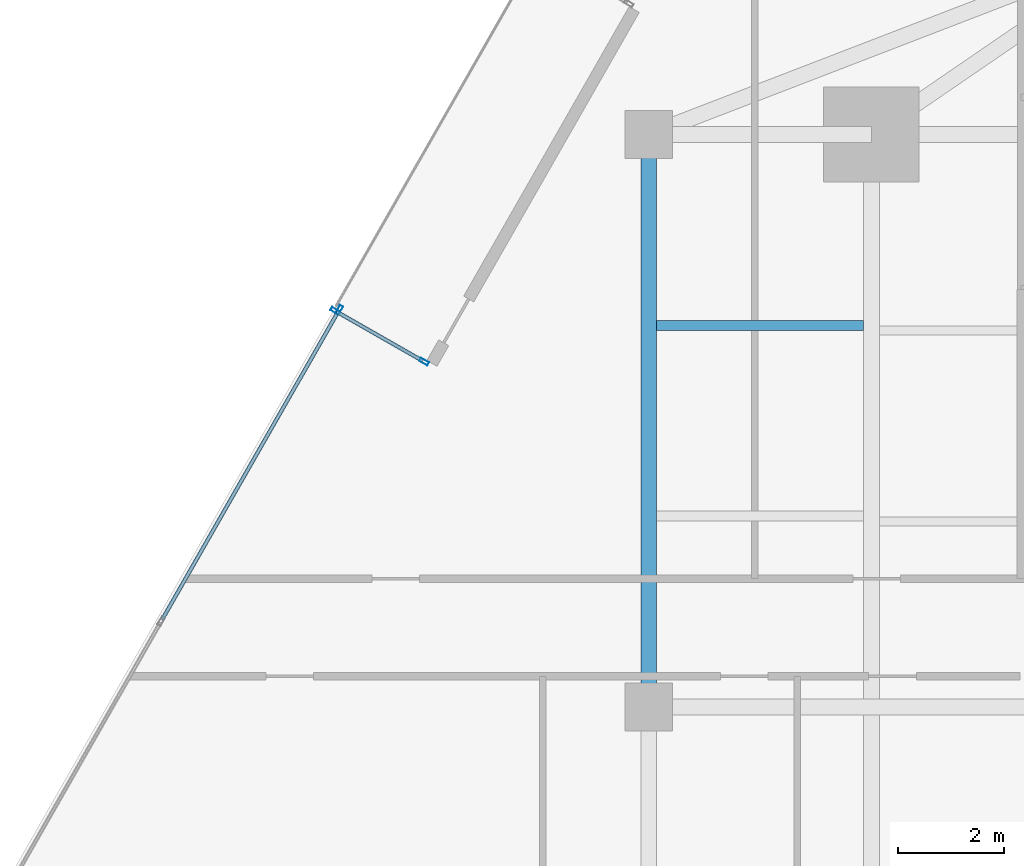
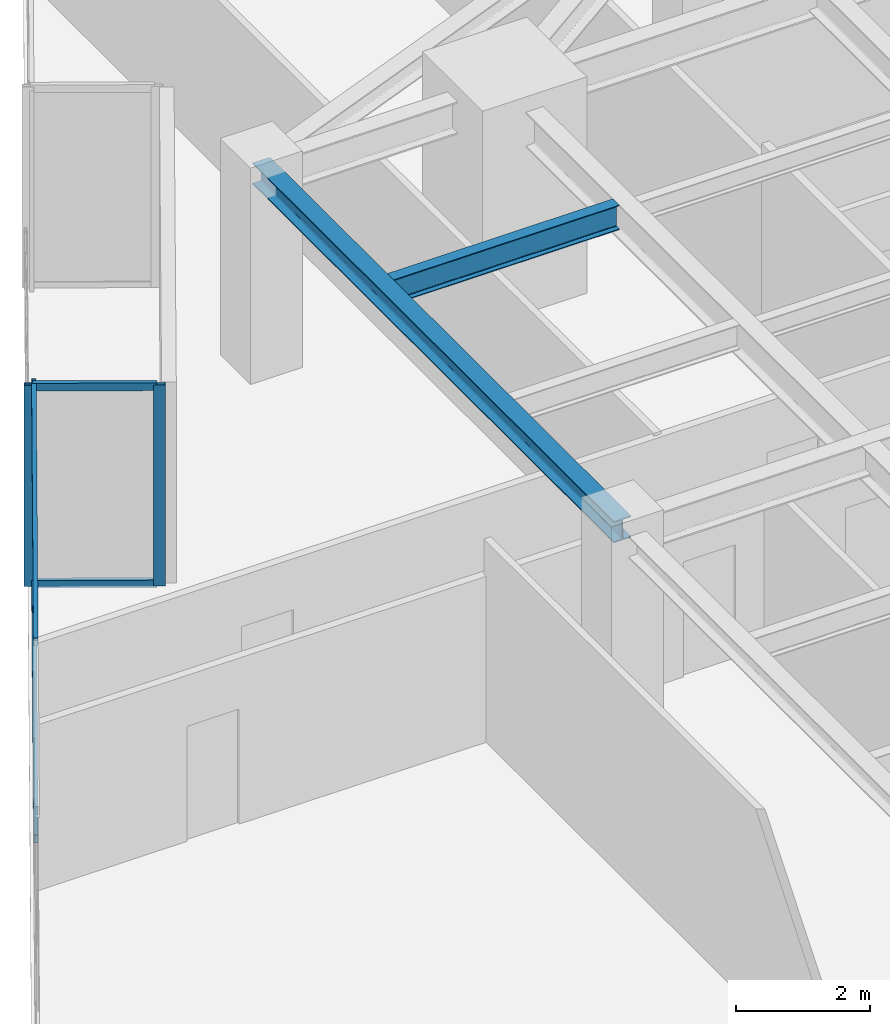
# One storey, part 12 of 24: 7 members, 2 beams, 2 elements without a shape of their own.
"""IFC4 building model written with IfcOpenShell, lengths in metres."""

from ifc_helpers import new_model, si_unit, direction, frame, origin, origin_2d, place, context, subcontext, project, spatial, hollow_rectangle, i_section, extrude, source, transform, mapped, material, material_profile, profile_set, type_object, type_shapes, element, aggregate, save


model = new_model("IFC4")

# Units and contexts
model_context = context("Model", 3, precision=1e-05, world=origin(), true_north=direction((0.0, 1.0)))
body_context = subcontext(model_context, "Body", "Model", "MODEL_VIEW")
ifc_project = project(units=[si_unit("LENGTHUNIT", "METRE"), si_unit("AREAUNIT", "SQUARE_METRE"), si_unit("VOLUMEUNIT", "CUBIC_METRE"), si_unit("PLANEANGLEUNIT", "RADIAN"), si_unit("MASSUNIT", "GRAM", prefix="KILO")], contexts=[model_context])

# Site, building, storey
site_placement = place(None, origin())
site = spatial("IfcSite", under=ifc_project, at=site_placement, CompositionType="ELEMENT")
building_placement = place(site_placement, origin())
building = spatial("IfcBuilding", under=site, at=building_placement, Name="Krantzveldt Concourse Tower", CompositionType="ELEMENT")
storey_placement = place(building_placement, frame((0.0, 0.0, 165.949951171875)))
storey = spatial("IfcBuildingStorey", under=building, at=storey_placement, Name="L40", CompositionType="ELEMENT", Elevation=165.949951171875)

# Beams
ifc_material_1 = material(Name="Steel S355JR", Category="steel")
ifc_material_profile_1 = material_profile(ifc_material_1, i_section(OverallWidth=0.300048828125, OverallDepth=0.389892578125, WebThickness=0.010986328125, FlangeThickness=0.01904296875, FilletRadius=0.027099609375, at=origin_2d()), Name="Steel S355JR", Category="steel")
ifc_profile_set_1 = profile_set([ifc_material_profile_1], Name="Steel S355JR - HEA 400")
beam_type_1 = type_object("IfcBeamType", Name="BM-SP-HEA400", PredefinedType="SPANDREL", material=ifc_profile_set_1)
shared_shape_1 = source(origin(), body_context, "Body", "SweptSolid", [
    extrude(i_section(OverallWidth=0.300048828125, OverallDepth=0.389892578125, WebThickness=0.010986328125, FlangeThickness=0.01904296875, FilletRadius=0.027099609375, at=origin_2d()), origin(), (0.0, 0.0, 1.0), 10.800048828125),
])
type_shapes(beam_type_1, [shared_shape_1])
beam_1_placement = place(storey_placement, frame((21.0, 26.699951171875, 3.47509765625), z_axis=(0.0, 1.0, 0.0), x_axis=(-1.0, 0.0, 0.0)))
element("IfcBeam", 1, at=beam_1_placement, inside=storey, type_object=beam_type_1, Name="L40 Tower Girder SP-R02", PredefinedType="SPANDREL", context=body_context, shape_type="MappedRepresentation", body=[
    mapped(shared_shape_1, transform((0.0, 0.0, 0.0), x_axis=(1.0, 0.0, 0.0), y_axis=(0.0, 1.0, 0.0), z_axis=(0.0, 0.0, 1.0), scale=1.0)),
])
ifc_material_profile_2 = material_profile(ifc_material_1, i_section(OverallWidth=0.18994140625, OverallDepth=0.449951171875, WebThickness=0.009521484375, FlangeThickness=0.0146484375, FilletRadius=0.02099609375, at=origin_2d()), Name="Steel S355JR", Category="steel")
ifc_profile_set_2 = profile_set([ifc_material_profile_2], Name="Steel S355JR - IPE 450")
beam_type_2 = type_object("IfcBeamType", Name="BM-J-IPE450", PredefinedType="JOIST", material=ifc_profile_set_2)
shared_shape_2 = source(origin(), body_context, "Body", "SweptSolid", [
    extrude(i_section(OverallWidth=0.18994140625, OverallDepth=0.449951171875, WebThickness=0.009521484375, FlangeThickness=0.0146484375, FilletRadius=0.02099609375, at=origin_2d()), origin(), (0.0, 0.0, 1.0), 3.900146484375),
])
type_shapes(beam_type_2, [shared_shape_2])
beam_2_placement = place(storey_placement, frame((21.14990234375, 33.89990234375, 3.445068359375), z_axis=(1.0, 0.0, 0.0), x_axis=(0.0, 1.0, 0.0)))
element("IfcBeam", 2, at=beam_2_placement, inside=storey, type_object=beam_type_2, Name="L40 Secondary Floor Joist JW-4", PredefinedType="JOIST", context=body_context, shape_type="MappedRepresentation", body=[
    mapped(shared_shape_2, transform((0.0, 0.0, 0.0), x_axis=(1.0, 0.0, 0.0), y_axis=(0.0, 1.0, 0.0), z_axis=(0.0, 0.0, 1.0), scale=1.0)),
])

# Curtain wall, members
ifc_material_2 = material(Name="Anodised aluminium 6063-T6", Category="aluminium")
curtain_wall_type_1 = type_object("IfcCurtainWallType", Name="CW6", PredefinedType="USERDEFINED", material=ifc_material_2)
curtain_wall_1_placement = place(storey_placement, origin())
curtain_wall_1 = element("IfcCurtainWall", 3, at=curtain_wall_1_placement, inside=storey, type_object=curtain_wall_type_1, Name="CW-L40-TR04", ObjectType="UNITISED CURTAIN WALL", PredefinedType="USERDEFINED")
ifc_material_profile_3 = material_profile(ifc_material_2, hollow_rectangle(XDim=0.070068359375, YDim=0.179931640625, WallThickness=0.0048828125, at=origin_2d()), Name="Anodised aluminium 6063-T6", Category="aluminium")
ifc_profile_set_3 = profile_set([ifc_material_profile_3], Name="Anodised aluminium 6063-T6 - ALU-MULL 180x70x5")
member_type_1 = type_object("IfcMemberType", Name="CW-MUL-180", PredefinedType="MULLION", material=ifc_profile_set_3)
shared_shape_3 = source(origin(), body_context, "Body", "SweptSolid", [
    extrude(hollow_rectangle(XDim=0.070068359375, YDim=0.179931640625, WallThickness=0.0048828125, at=origin_2d()), origin(), (0.0, 0.0, 1.0), 3.670166015625),
])
type_shapes(member_type_1, [shared_shape_3])
member_1_placement = place(storey_placement, frame((16.76220703125, 33.21484375, 0.0), z_axis=(0.0, 0.0, 1.0), x_axis=(-0.496218628357, -0.86819760013, 0.0)))
member_1 = element("IfcMember", 4, at=member_1_placement, type_object=member_type_1, Name="CW-TERR mullion 1", PredefinedType="MULLION", context=body_context, shape_type="MappedRepresentation", body=[
    mapped(shared_shape_3, transform((0.0, 0.0, 0.0), x_axis=(1.0, 0.0, 0.0), y_axis=(0.0, 1.0, 0.0), z_axis=(0.0, 0.0, 1.0), scale=1.0)),
])
member_2_placement = place(storey_placement, frame((15.08642578125, 34.17236328125, 0.0), z_axis=(0.0, 0.0, 1.0), x_axis=(-0.496218628357, -0.86819760013, 0.0)))
member_2 = element("IfcMember", 5, at=member_2_placement, type_object=member_type_1, Name="CW-TERR mullion 2", PredefinedType="MULLION", context=body_context, shape_type="MappedRepresentation", body=[
    mapped(shared_shape_3, transform((0.0, 0.0, 0.0), x_axis=(1.0, 0.0, 0.0), y_axis=(0.0, 1.0, 0.0), z_axis=(0.0, 0.0, 1.0), scale=1.0)),
])

# Curtain wall, member
curtain_wall_type_2 = type_object("IfcCurtainWallType", Name="CW3", PredefinedType="USERDEFINED", material=ifc_material_2)
curtain_wall_2_placement = place(storey_placement, origin())
curtain_wall_2 = element("IfcCurtainWall", 6, at=curtain_wall_2_placement, inside=storey, type_object=curtain_wall_type_2, Name="CW-L40-F05", ObjectType="UNITISED CURTAIN WALL", PredefinedType="USERDEFINED")
member_3_placement = place(storey_placement, frame((15.16162109375, 34.19287109375, 0.0), z_axis=(0.0, 0.0, 1.0), x_axis=(0.868199066314, -0.496216063073, 0.0)))
member_3 = element("IfcMember", 7, at=member_3_placement, type_object=member_type_1, Name="CW-Z34 mullion 1", PredefinedType="MULLION", context=body_context, shape_type="MappedRepresentation", body=[
    mapped(shared_shape_3, transform((0.0, 0.0, 0.0), x_axis=(1.0, 0.0, 0.0), y_axis=(0.0, 1.0, 0.0), z_axis=(0.0, 0.0, 1.0), scale=1.0)),
])

# Member
ifc_material_profile_4 = material_profile(ifc_material_2, hollow_rectangle(XDim=0.070068359375, YDim=0.139892578125, WallThickness=0.0048828125, at=origin_2d()), Name="Anodised aluminium 6063-T6", Category="aluminium")
ifc_profile_set_4 = profile_set([ifc_material_profile_4], Name="Anodised aluminium 6063-T6 - ALU-TRAN 140x70x5")
member_type_2 = type_object("IfcMemberType", Name="CW-TRN-150", PredefinedType="USERDEFINED", material=ifc_profile_set_4)
shared_shape_4 = source(origin(), body_context, "Body", "SweptSolid", [
    extrude(hollow_rectangle(XDim=0.070068359375, YDim=0.139892578125, WallThickness=0.0048828125, at=origin_2d()), origin(), (0.0, 0.0, 1.0), 1.85986328125),
])
member_4_placement = place(storey_placement, frame((16.731689453125, 33.232177734375, 0.03515625), z_axis=(-0.868210828001, 0.496195483799, 0.0), x_axis=(-0.496195483799, -0.868210828001, 0.0)))
member_4 = element("IfcMember", 8, at=member_4_placement, type_object=member_type_2, Name="CW-TERR transom 1.1", ObjectType="TRANSOM", PredefinedType="USERDEFINED", context=body_context, shape_type="MappedRepresentation", body=[
    mapped(shared_shape_4, transform((0.0, 0.0, 0.0), x_axis=(1.0, 0.0, 0.0), y_axis=(0.0, 1.0, 0.0), z_axis=(0.0, 0.0, 1.0), scale=1.0)),
])

member_5_placement = place(storey_placement, frame((16.731689453125, 33.232177734375, 3.635009765625), z_axis=(-0.868210828001, 0.496195483799, 0.0), x_axis=(-0.496195483799, -0.868210828001, 0.0)))
member_5 = element("IfcMember", 9, at=member_5_placement, type_object=member_type_2, Name="CW-TERR transom 1.2", ObjectType="TRANSOM", PredefinedType="USERDEFINED", context=body_context, shape_type="MappedRepresentation", body=[
    mapped(shared_shape_4, transform((0.0, 0.0, 0.0), x_axis=(1.0, 0.0, 0.0), y_axis=(0.0, 1.0, 0.0), z_axis=(0.0, 0.0, 1.0), scale=1.0)),
])

aggregate(curtain_wall_1, [member_1, member_2, member_4, member_5])

shared_shape_5 = source(origin(), body_context, "Body", "SweptSolid", [
    extrude(hollow_rectangle(XDim=0.070068359375, YDim=0.139892578125, WallThickness=0.0048828125, at=origin_2d()), origin(), (0.0, 0.0, 1.0), 6.695068359375),
])
type_shapes(member_type_2, [shared_shape_4, shared_shape_5])
member_6_placement = place(storey_placement, frame((15.144287109375, 34.16259765625, 0.03515625), z_axis=(-0.496217476605, -0.868198258413, 0.0), x_axis=(0.868198258413, -0.496217476605, 0.0)))
member_6 = element("IfcMember", 10, at=member_6_placement, type_object=member_type_2, Name="CW-Z34 transom 1.1", ObjectType="TRANSOM", PredefinedType="USERDEFINED", context=body_context, shape_type="MappedRepresentation", body=[
    mapped(shared_shape_5, transform((0.0, 0.0, 0.0), x_axis=(1.0, 0.0, 0.0), y_axis=(0.0, 1.0, 0.0), z_axis=(0.0, 0.0, 1.0), scale=1.0)),
])

member_7_placement = place(storey_placement, frame((15.144287109375, 34.16259765625, 3.635009765625), z_axis=(-0.496217476605, -0.868198258413, 0.0), x_axis=(0.868198258413, -0.496217476605, 0.0)))
member_7 = element("IfcMember", 11, at=member_7_placement, type_object=member_type_2, Name="CW-Z34 transom 1.2", ObjectType="TRANSOM", PredefinedType="USERDEFINED", context=body_context, shape_type="MappedRepresentation", body=[
    mapped(shared_shape_5, transform((0.0, 0.0, 0.0), x_axis=(1.0, 0.0, 0.0), y_axis=(0.0, 1.0, 0.0), z_axis=(0.0, 0.0, 1.0), scale=1.0)),
])

aggregate(curtain_wall_2, [member_3, member_6, member_7])

save(model, "model.ifc")
